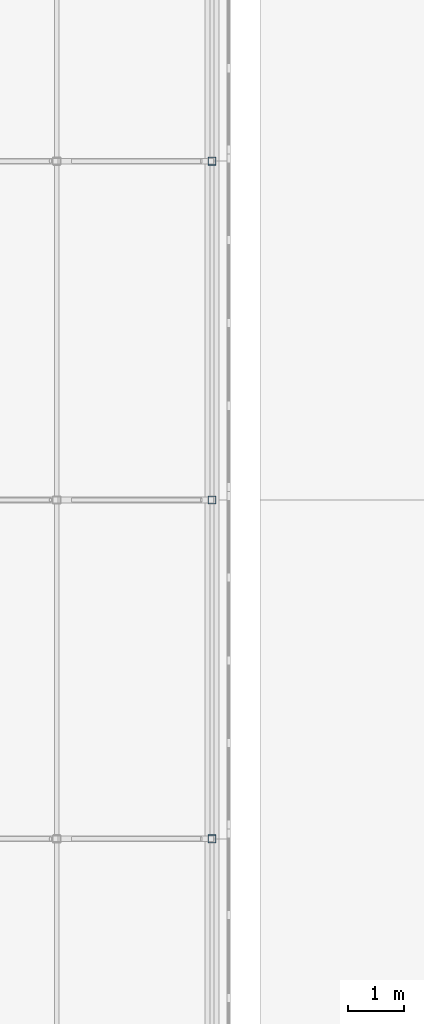
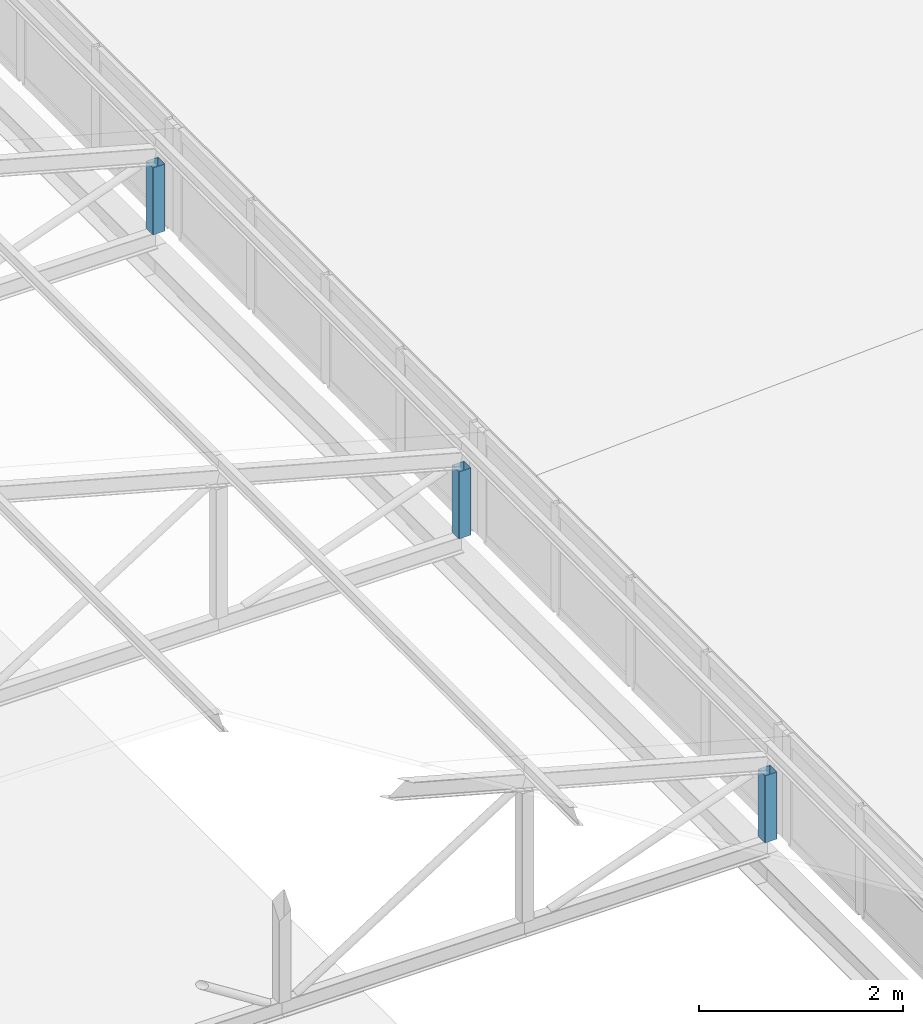
# One storey, part 69 of 94: 3 members.
"""IFC4 building model written with IfcOpenShell, lengths in metres."""

from ifc_helpers import new_model, si_unit, direction, frame, origin, origin_2d, place, context, subcontext, project, spatial, hollow_rectangle, extrude, material, material_profile, profile_set, type_object, element, save


model = new_model("IFC4")

# Units and contexts
model_context = context("Model", 3, precision=1e-05, world=origin(), true_north=direction((0.0, 1.0)))
body_context = subcontext(model_context, "Body", "Model", "MODEL_VIEW")
ifc_project = project(units=[si_unit("LENGTHUNIT", "METRE"), si_unit("AREAUNIT", "SQUARE_METRE"), si_unit("VOLUMEUNIT", "CUBIC_METRE"), si_unit("PLANEANGLEUNIT", "RADIAN"), si_unit("MASSUNIT", "GRAM", prefix="KILO")], contexts=[model_context])

# Site, building, storey
site_placement = place(None, origin())
site = spatial("IfcSite", under=ifc_project, at=site_placement, CompositionType="ELEMENT")
building_placement = place(site_placement, origin())
building = spatial("IfcBuilding", under=site, at=building_placement, Name="Lilac Gate Convention Centre", CompositionType="ELEMENT")
storey_placement = place(building_placement, frame((0.0, 0.0, 21.0)))
storey = spatial("IfcBuildingStorey", under=building, at=storey_placement, Name="L04", CompositionType="ELEMENT", Elevation=21.0)

# Members
ifc_material = material(Name="Steel Q355B", Category="steel")
ifc_material_profile = material_profile(ifc_material, hollow_rectangle(XDim=0.139892578125, YDim=0.139892578125, WallThickness=0.0048828125, InnerFilletRadius=0.0048828125, OuterFilletRadius=0.010009765625, at=origin_2d()), Name="SHS140x140x5")
ifc_profile_set = profile_set([ifc_material_profile], Name="Steel Q355B")
member_type = type_object("IfcMemberType", Name="Lantern post SHS140x140x5", PredefinedType="STRUT", material=ifc_profile_set)
for number, where, z_axis, x_axis, name in (
    (1, (28.60009765625, 84.0, 0.199951171875), (0.0, 0.0, 1.0), (1.0, 0.0, 0.0), "LV1 lantern truss 10 post 5"),
    (2, (28.60009765625, 90.0, 0.199951171875), (0.0, 0.0, 1.0), (1.0, 0.0, 0.0), "LV1 lantern truss 11 post 5"),
    (3, (28.60009765625, 96.0, 0.199951171875), (0.0, 0.0, 1.0), (1.0, 0.0, 0.0), "LV1 lantern truss 12 post 5"),
):
    element("IfcMember", number, at=place(storey_placement, frame(where, z_axis=z_axis, x_axis=x_axis)), inside=storey, type_object=member_type, Name=name, PredefinedType="STRUT", context=body_context, shape_type="SweptSolid", body=[
        extrude(hollow_rectangle(XDim=0.139892578125, YDim=0.139892578125, WallThickness=0.0048828125, InnerFilletRadius=0.0048828125, OuterFilletRadius=0.010009765625, at=origin_2d()), origin(), (0.0, 0.0, 1.0), 0.802001953125),
    ])

save(model, "model.ifc")
